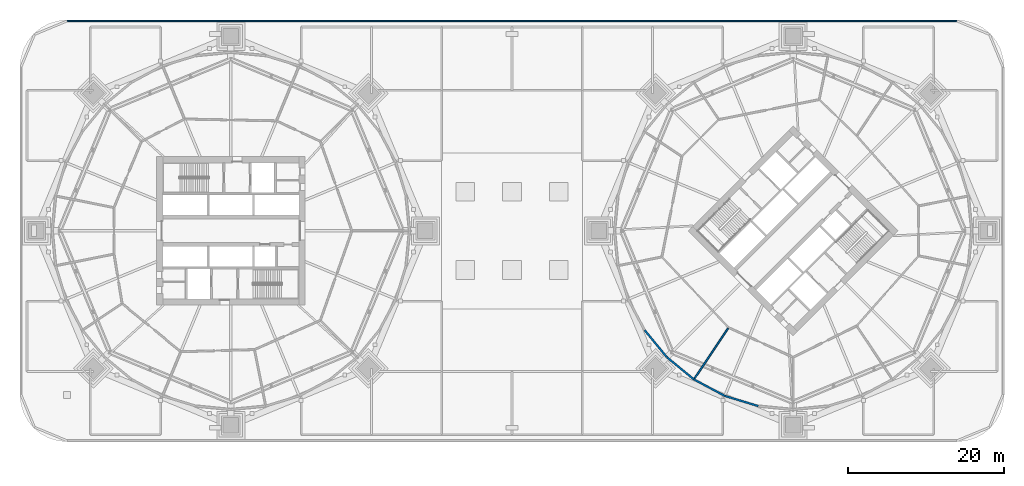
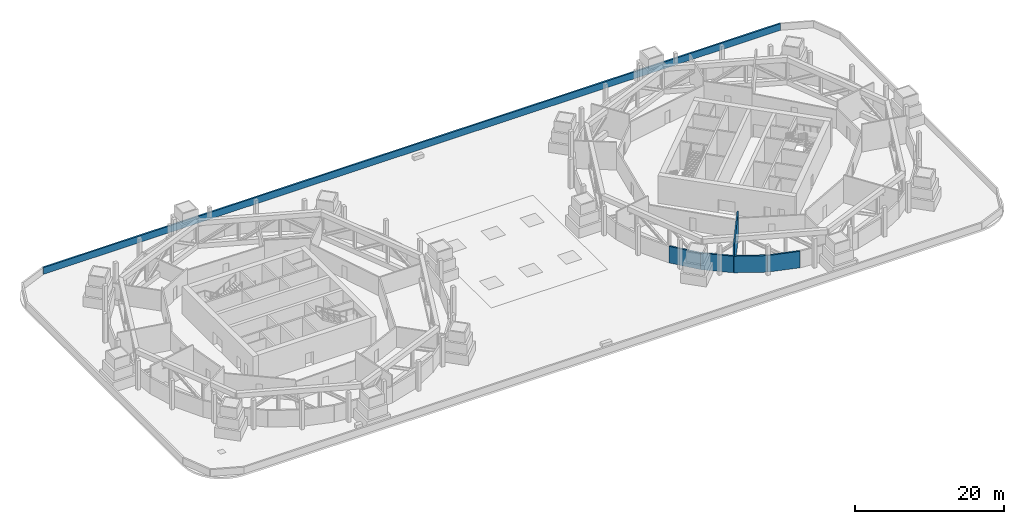
# One storey, part 14 of 21: 6 walls.
"""IFC4 building model written with IfcOpenShell, lengths in metres."""

from ifc_helpers import new_model, si_unit, direction, frame, frame_2d, origin, place, context, subcontext, project, spatial, rectangle, extrude, material, layer, layer_set, type_object, element, save


model = new_model("IFC4")

# Units and contexts
model_context = context("Model", 3, precision=1e-05, world=origin(), true_north=direction((0.0, 1.0)))
body_context = subcontext(model_context, "Body", "Model", "MODEL_VIEW")
ifc_project = project(units=[si_unit("LENGTHUNIT", "METRE"), si_unit("AREAUNIT", "SQUARE_METRE"), si_unit("VOLUMEUNIT", "CUBIC_METRE"), si_unit("PLANEANGLEUNIT", "RADIAN"), si_unit("MASSUNIT", "GRAM", prefix="KILO")], contexts=[model_context])

# Site, building, storey
site_placement = place(None, origin())
site = spatial("IfcSite", under=ifc_project, at=site_placement, CompositionType="ELEMENT")
building_placement = place(site_placement, origin())
building = spatial("IfcBuilding", under=site, at=building_placement, Name="Ogive Gate Towers", CompositionType="ELEMENT")
storey_placement = place(building_placement, frame((0.0, 0.0, 27.60009765625)))
storey = spatial("IfcBuildingStorey", under=building, at=storey_placement, Name="L05", CompositionType="ELEMENT", Elevation=27.60009765625)

# Walls
ifc_material_1 = material(Name="Fire-rated block compartment wall")
ifc_layer_1 = layer(ifc_material_1, 0.199951171875)
ifc_layer_set_1 = layer_set([ifc_layer_1], Name="Compartment wall 200")
wall_type_1 = type_object("IfcWallType", Name="Compartment wall 200", PredefinedType="PARTITIONING", material=ifc_layer_set_1)
wall_1_placement = place(storey_placement, frame((23.277587890625, -19.040283203125, 0.0), z_axis=(0.0, 0.0, 1.0), x_axis=(0.555568957044, 0.831470464881, 0.0)))
element("IfcWall", 1, at=wall_1_placement, inside=storey, type_object=wall_type_1, Name="Partition T2-L05-007", PredefinedType="PARTITIONING", context=body_context, shape_type="SweptSolid", body=[
    extrude(rectangle(XDim=7.9091796875, YDim=0.199951171875, at=frame_2d((3.95458984375, 0.0))), origin(), (0.0, 0.0, 1.0), 4.5),
])
ifc_material_2 = material(Name="Precast concrete C40/50", Category="concrete")
ifc_layer_2 = layer(ifc_material_2, 0.25)
ifc_layer_set_2 = layer_set([ifc_layer_2], Name="Parapet wall 1100")
wall_type_2 = type_object("IfcWallType", Name="Parapet wall 1100", PredefinedType="PARAPET", material=ifc_layer_set_2)
wall_2_placement = place(storey_placement, frame((56.97509765625, 26.875, 0.0), z_axis=(0.0, 0.0, 1.0), x_axis=(-1.0, 0.0, 0.0)))
element("IfcWall", 2, at=wall_2_placement, inside=storey, type_object=wall_type_2, Name="Parapet wall", PredefinedType="PARAPET", context=body_context, shape_type="SweptSolid", body=[
    extrude(rectangle(XDim=113.9501953125, YDim=0.25, at=frame_2d((56.97509765625, 0.0))), origin(), (0.0, 0.0, 1.0), 1.099853515625),
])
ifc_material_3 = material(Name="Pale metal aluminium louvre", Category="aluminium")
ifc_layer_3 = layer(ifc_material_3, 0.25)
ifc_layer_set_3 = layer_set([ifc_layer_3], Name="Plant louvre wall")
wall_type_3 = type_object("IfcWallType", Name="Plant louvre wall", PredefinedType="SOLIDWALL", material=ifc_layer_set_3)
for number, where, z_axis, x_axis, name in (
    (3, (16.980224609375, -12.70849609375, 0.0), (0.0, 0.0, 1.0), (0.634366667709, -0.773032296155, 0.0), "Plant louvre wall"),
    (4, (19.824951171875, -16.175048828125, 0.0), (0.0, 0.0, 1.0), (0.773032296155, -0.634366667709, 0.0), "Plant louvre wall"),
):
    element("IfcWall", number, at=place(storey_placement, frame(where, z_axis=z_axis, x_axis=x_axis)), inside=storey, type_object=wall_type_3, Name=name, PredefinedType="SOLIDWALL", context=body_context, shape_type="SweptSolid", body=[
        extrude(rectangle(XDim=4.484375, YDim=0.25, at=frame_2d((2.2421875, 0.0))), origin(), (0.0, 0.0, 1.0), 2.699951171875),
    ])
wall_3_placement = place(storey_placement, frame((23.29150390625, -19.019775390625, 0.0), z_axis=(0.0, 0.0, 1.0), x_axis=(0.88192152194, -0.471396254905, 0.0)))
element("IfcWall", 5, at=wall_3_placement, inside=storey, type_object=wall_type_3, Name="Plant louvre wall", PredefinedType="SOLIDWALL", context=body_context, shape_type="SweptSolid", body=[
    extrude(rectangle(XDim=4.484130859375, YDim=0.25, at=frame_2d((2.2421875, 0.0))), origin(), (0.0, 0.0, 1.0), 2.699951171875),
])
wall_4_placement = place(storey_placement, frame((27.24609375, -21.133544921875, 0.0), z_axis=(0.0, 0.0, 1.0), x_axis=(0.956939196296, -0.290288433444, 0.0)))
element("IfcWall", 6, at=wall_4_placement, inside=storey, type_object=wall_type_3, Name="Plant louvre wall", PredefinedType="SOLIDWALL", context=body_context, shape_type="SweptSolid", body=[
    extrude(rectangle(XDim=4.484375, YDim=0.25, at=frame_2d((2.2421875, 0.0))), origin(), (0.0, 0.0, 1.0), 2.699951171875),
])

save(model, "model.ifc")
